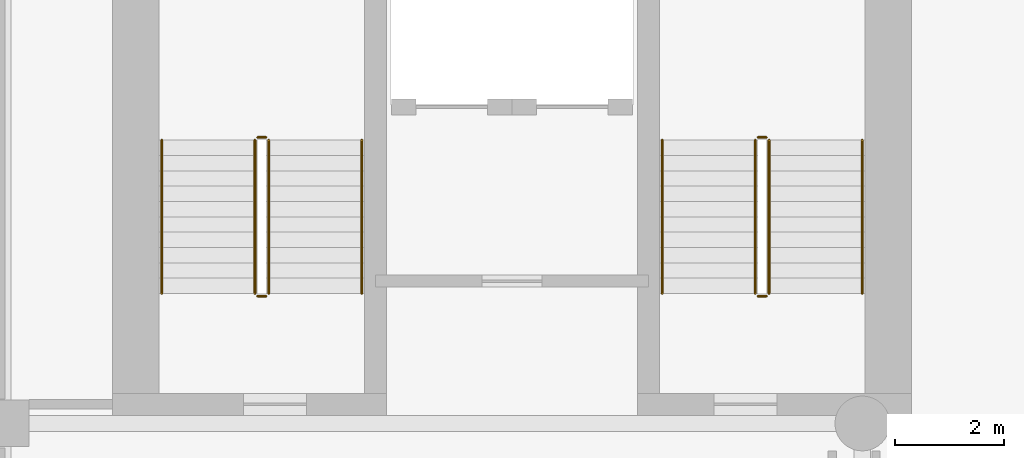
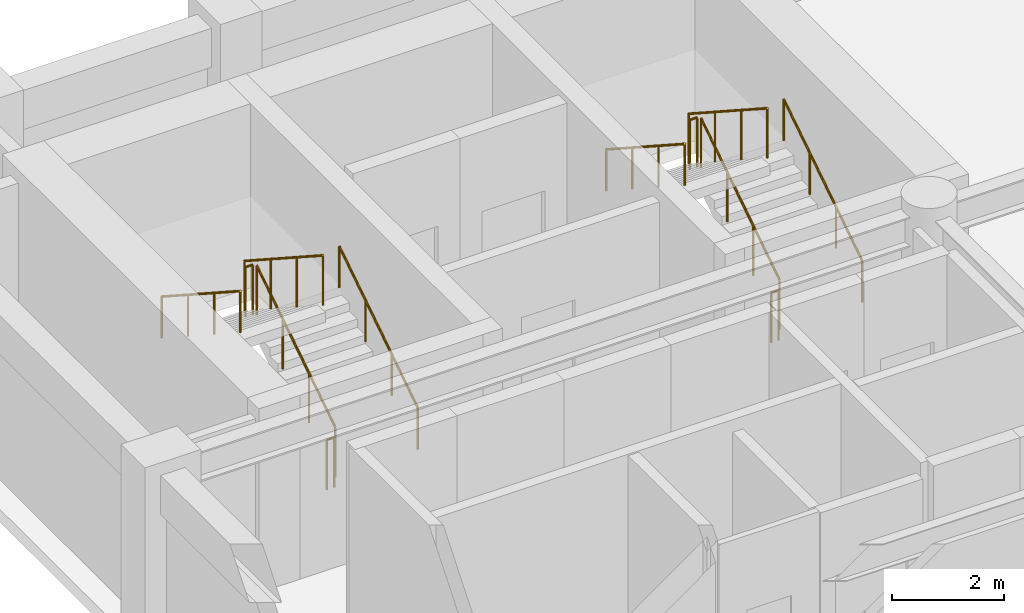
# One storey, part 7 of 8: 12 railings.
"""IFC4 building model written with IfcOpenShell, lengths in metres."""

from ifc_helpers import new_model, si_unit, direction, frame, origin, origin_2d, place, context, subcontext, project, spatial, circle, extrude, material, type_object, element, save


model = new_model("IFC4")

# Units and contexts
model_context = context("Model", 3, precision=1e-05, world=origin(), true_north=direction((0.0, 1.0)))
body_context = subcontext(model_context, "Body", "Model", "MODEL_VIEW")
ifc_project = project(units=[si_unit("LENGTHUNIT", "METRE"), si_unit("AREAUNIT", "SQUARE_METRE"), si_unit("VOLUMEUNIT", "CUBIC_METRE"), si_unit("PLANEANGLEUNIT", "RADIAN"), si_unit("MASSUNIT", "GRAM", prefix="KILO")], contexts=[model_context])

# Site, building, storey
site_placement = place(None, origin())
site = spatial("IfcSite", under=ifc_project, at=site_placement, CompositionType="ELEMENT")
building_placement = place(site_placement, origin())
building = spatial("IfcBuilding", under=site, at=building_placement, Name="Sulina Concourse Tower", CompositionType="ELEMENT")
storey_placement = place(building_placement, frame((0.0, 0.0, 148.60009765625)))
storey = spatial("IfcBuildingStorey", under=building, at=storey_placement, Name="L36", CompositionType="ELEMENT", Elevation=148.60009765625)

# Railings
ifc_material_1 = material(Name="Galvanised steel railing", Category="steel")
railing_type_1 = type_object("IfcRailingType", Name="Core Stair Steel Guardrail 1150mm", PredefinedType="GUARDRAIL", material=ifc_material_1)
railing_1_placement = place(storey_placement, frame((5.554931640625, 36.375, 0.181640625)))
element("IfcRailing", 1, at=railing_1_placement, inside=storey, type_object=railing_type_1, Name="L36 ST-1 stair guard 1", PredefinedType="GUARDRAIL", context=body_context, shape_type="SweptSolid", body=[
    extrude(circle(Radius=0.02392578125, at=origin_2d()), frame((0.0, 0.0, 1.076171875), z_axis=(0.0, 0.838672427954, 0.544636170843), x_axis=(-1.0, 0.0, 0.0)), (0.0, 0.0, 1.0), 3.338623046875),
    extrude(circle(Radius=0.02099609375, at=origin_2d()), origin(), (0.0, 0.0, 1.0), 1.052001953125),
    extrude(circle(Radius=0.02099609375, at=origin_2d()), frame((0.0, 0.933349609375, 0.606201171875)), (0.0, 0.0, 1.0), 1.052001953125),
    extrude(circle(Radius=0.02099609375, at=origin_2d()), frame((0.0, 1.86669921875, 1.212158203125)), (0.0, 0.0, 1.0), 1.052001953125),
    extrude(circle(Radius=0.02099609375, at=origin_2d()), frame((0.0, 2.800048828125, 1.818359375)), (0.0, 0.0, 1.0), 1.052001953125),
])
railing_2_placement = place(storey_placement, frame((5.5048828125, 39.22509765625, 2.0)))
element("IfcRailing", 2, at=railing_2_placement, inside=storey, type_object=railing_type_1, Name="L36 ST-1 stair guard 2", PredefinedType="GUARDRAIL", context=body_context, shape_type="SweptSolid", body=[
    extrude(circle(Radius=0.02392578125, at=origin_2d()), frame((0.0, 0.0, 1.076171875), z_axis=(-1.0, 0.0, 0.0), x_axis=(0.0, -1.0, 0.0)), (0.0, 0.0, 1.0), 0.14990234375),
    extrude(circle(Radius=0.02099609375, at=origin_2d()), origin(), (0.0, 0.0, 1.0), 1.052001953125),
    extrude(circle(Radius=0.02099609375, at=origin_2d()), frame((-0.14990234375, 0.0, 0.0)), (0.0, 0.0, 1.0), 1.052001953125),
])
railing_3_placement = place(storey_placement, frame((5.304931640625, 39.175048828125, 2.181640625)))
element("IfcRailing", 3, at=railing_3_placement, inside=storey, type_object=railing_type_1, Name="L36 ST-1 stair guard 3", PredefinedType="GUARDRAIL", context=body_context, shape_type="SweptSolid", body=[
    extrude(circle(Radius=0.02392578125, at=origin_2d()), frame((0.0, 0.0, 1.076171875), z_axis=(0.0, -0.838672427954, 0.544636170843), x_axis=(1.0, 0.0, 0.0)), (0.0, 0.0, 1.0), 3.338623046875),
    extrude(circle(Radius=0.02099609375, at=origin_2d()), origin(), (0.0, 0.0, 1.0), 1.052001953125),
    extrude(circle(Radius=0.02099609375, at=origin_2d()), frame((0.0, -0.933349609375, 0.606201171875)), (0.0, 0.0, 1.0), 1.052001953125),
    extrude(circle(Radius=0.02099609375, at=origin_2d()), frame((0.0, -1.86669921875, 1.212158203125)), (0.0, 0.0, 1.0), 1.052001953125),
    extrude(circle(Radius=0.02099609375, at=origin_2d()), frame((0.0, -2.800048828125, 1.818359375)), (0.0, 0.0, 1.0), 1.052001953125),
])
railing_4_placement = place(storey_placement, frame((5.5048828125, 36.324951171875, 0.0)))
element("IfcRailing", 4, at=railing_4_placement, inside=storey, type_object=railing_type_1, Name="L36 ST-1 stair guard 4", PredefinedType="GUARDRAIL", context=body_context, shape_type="SweptSolid", body=[
    extrude(circle(Radius=0.02392578125, at=origin_2d()), frame((0.0, 0.0, 1.076171875), z_axis=(-1.0, 0.0, 0.0), x_axis=(0.0, -1.0, 0.0)), (0.0, 0.0, 1.0), 0.14990234375),
    extrude(circle(Radius=0.02099609375, at=origin_2d()), origin(), (0.0, 0.0, 1.0), 1.052001953125),
    extrude(circle(Radius=0.02099609375, at=origin_2d()), frame((-0.14990234375, 0.0, 0.0)), (0.0, 0.0, 1.0), 1.052001953125),
])
railing_5_placement = place(storey_placement, frame((14.695068359375, 36.375, 0.181640625)))
element("IfcRailing", 5, at=railing_5_placement, inside=storey, type_object=railing_type_1, Name="L36 ST-2 stair guard 1", PredefinedType="GUARDRAIL", context=body_context, shape_type="SweptSolid", body=[
    extrude(circle(Radius=0.02392578125, at=origin_2d()), frame((0.0, 0.0, 1.076171875), z_axis=(0.0, 0.838672427954, 0.544636170843), x_axis=(-1.0, 0.0, 0.0)), (0.0, 0.0, 1.0), 3.338623046875),
    extrude(circle(Radius=0.02099609375, at=origin_2d()), origin(), (0.0, 0.0, 1.0), 1.052001953125),
    extrude(circle(Radius=0.02099609375, at=origin_2d()), frame((0.0, 0.933349609375, 0.606201171875)), (0.0, 0.0, 1.0), 1.052001953125),
    extrude(circle(Radius=0.02099609375, at=origin_2d()), frame((0.0, 1.86669921875, 1.212158203125)), (0.0, 0.0, 1.0), 1.052001953125),
    extrude(circle(Radius=0.02099609375, at=origin_2d()), frame((0.0, 2.800048828125, 1.818359375)), (0.0, 0.0, 1.0), 1.052001953125),
])
railing_6_placement = place(storey_placement, frame((14.64501953125, 39.22509765625, 2.0)))
element("IfcRailing", 6, at=railing_6_placement, inside=storey, type_object=railing_type_1, Name="L36 ST-2 stair guard 2", PredefinedType="GUARDRAIL", context=body_context, shape_type="SweptSolid", body=[
    extrude(circle(Radius=0.02392578125, at=origin_2d()), frame((0.0, 0.0, 1.076171875), z_axis=(-1.0, 0.0, 0.0), x_axis=(0.0, -1.0, 0.0)), (0.0, 0.0, 1.0), 0.14990234375),
    extrude(circle(Radius=0.02099609375, at=origin_2d()), origin(), (0.0, 0.0, 1.0), 1.052001953125),
    extrude(circle(Radius=0.02099609375, at=origin_2d()), frame((-0.14990234375, 0.0, 0.0)), (0.0, 0.0, 1.0), 1.052001953125),
])
railing_7_placement = place(storey_placement, frame((14.445068359375, 39.175048828125, 2.181640625)))
element("IfcRailing", 7, at=railing_7_placement, inside=storey, type_object=railing_type_1, Name="L36 ST-2 stair guard 3", PredefinedType="GUARDRAIL", context=body_context, shape_type="SweptSolid", body=[
    extrude(circle(Radius=0.02392578125, at=origin_2d()), frame((0.0, 0.0, 1.076171875), z_axis=(0.0, -0.838672427954, 0.544636170843), x_axis=(1.0, 0.0, 0.0)), (0.0, 0.0, 1.0), 3.338623046875),
    extrude(circle(Radius=0.02099609375, at=origin_2d()), origin(), (0.0, 0.0, 1.0), 1.052001953125),
    extrude(circle(Radius=0.02099609375, at=origin_2d()), frame((0.0, -0.933349609375, 0.606201171875)), (0.0, 0.0, 1.0), 1.052001953125),
    extrude(circle(Radius=0.02099609375, at=origin_2d()), frame((0.0, -1.86669921875, 1.212158203125)), (0.0, 0.0, 1.0), 1.052001953125),
    extrude(circle(Radius=0.02099609375, at=origin_2d()), frame((0.0, -2.800048828125, 1.818359375)), (0.0, 0.0, 1.0), 1.052001953125),
])
railing_8_placement = place(storey_placement, frame((14.64501953125, 36.324951171875, 0.0)))
element("IfcRailing", 8, at=railing_8_placement, inside=storey, type_object=railing_type_1, Name="L36 ST-2 stair guard 4", PredefinedType="GUARDRAIL", context=body_context, shape_type="SweptSolid", body=[
    extrude(circle(Radius=0.02392578125, at=origin_2d()), frame((0.0, 0.0, 1.076171875), z_axis=(-1.0, 0.0, 0.0), x_axis=(0.0, -1.0, 0.0)), (0.0, 0.0, 1.0), 0.14990234375),
    extrude(circle(Radius=0.02099609375, at=origin_2d()), origin(), (0.0, 0.0, 1.0), 1.052001953125),
    extrude(circle(Radius=0.02099609375, at=origin_2d()), frame((-0.14990234375, 0.0, 0.0)), (0.0, 0.0, 1.0), 1.052001953125),
])
ifc_material_2 = material(Name="Galvanised steel railing", Category="steel")
railing_type_2 = type_object("IfcRailingType", Name="Stair Wall Steel Handrail 920mm", PredefinedType="HANDRAIL", material=ifc_material_2)
railing_9_placement = place(storey_placement, frame((7.2548828125, 36.375, 0.181640625)))
element("IfcRailing", 9, at=railing_9_placement, inside=storey, type_object=railing_type_2, Name="L36 ST-1 stair handrail 1", PredefinedType="HANDRAIL", context=body_context, shape_type="SweptSolid", body=[
    extrude(circle(Radius=0.02392578125, at=origin_2d()), frame((0.0, 0.0, 0.89599609375), z_axis=(0.0, 0.838672427954, 0.544636170843), x_axis=(-1.0, 0.0, 0.0)), (0.0, 0.0, 1.0), 3.338623046875),
    extrude(circle(Radius=0.02099609375, at=origin_2d()), origin(), (0.0, 0.0, 1.0), 0.871826171875),
    extrude(circle(Radius=0.02099609375, at=origin_2d()), frame((0.0, 0.933349609375, 0.606201171875)), (0.0, 0.0, 1.0), 0.871826171875),
    extrude(circle(Radius=0.02099609375, at=origin_2d()), frame((0.0, 1.86669921875, 1.212158203125)), (0.0, 0.0, 1.0), 0.871826171875),
    extrude(circle(Radius=0.02099609375, at=origin_2d()), frame((0.0, 2.800048828125, 1.818359375)), (0.0, 0.0, 1.0), 0.871826171875),
])
railing_10_placement = place(storey_placement, frame((3.60498046875, 39.175048828125, 2.181640625)))
element("IfcRailing", 10, at=railing_10_placement, inside=storey, type_object=railing_type_2, Name="L36 ST-1 stair handrail 2", PredefinedType="HANDRAIL", context=body_context, shape_type="SweptSolid", body=[
    extrude(circle(Radius=0.02392578125, at=origin_2d()), frame((0.0, 0.0, 0.89599609375), z_axis=(0.0, -0.838672427954, 0.544636170843), x_axis=(1.0, 0.0, 0.0)), (0.0, 0.0, 1.0), 3.338623046875),
    extrude(circle(Radius=0.02099609375, at=origin_2d()), origin(), (0.0, 0.0, 1.0), 0.871826171875),
    extrude(circle(Radius=0.02099609375, at=origin_2d()), frame((0.0, -0.933349609375, 0.606201171875)), (0.0, 0.0, 1.0), 0.871826171875),
    extrude(circle(Radius=0.02099609375, at=origin_2d()), frame((0.0, -1.86669921875, 1.212158203125)), (0.0, 0.0, 1.0), 0.871826171875),
    extrude(circle(Radius=0.02099609375, at=origin_2d()), frame((0.0, -2.800048828125, 1.818359375)), (0.0, 0.0, 1.0), 0.871826171875),
])
railing_11_placement = place(storey_placement, frame((16.39501953125, 36.375, 0.181640625)))
element("IfcRailing", 11, at=railing_11_placement, inside=storey, type_object=railing_type_2, Name="L36 ST-2 stair handrail 1", PredefinedType="HANDRAIL", context=body_context, shape_type="SweptSolid", body=[
    extrude(circle(Radius=0.02392578125, at=origin_2d()), frame((0.0, 0.0, 0.89599609375), z_axis=(0.0, 0.838672427954, 0.544636170843), x_axis=(-1.0, 0.0, 0.0)), (0.0, 0.0, 1.0), 3.338623046875),
    extrude(circle(Radius=0.02099609375, at=origin_2d()), origin(), (0.0, 0.0, 1.0), 0.871826171875),
    extrude(circle(Radius=0.02099609375, at=origin_2d()), frame((0.0, 0.933349609375, 0.606201171875)), (0.0, 0.0, 1.0), 0.871826171875),
    extrude(circle(Radius=0.02099609375, at=origin_2d()), frame((0.0, 1.86669921875, 1.212158203125)), (0.0, 0.0, 1.0), 0.871826171875),
    extrude(circle(Radius=0.02099609375, at=origin_2d()), frame((0.0, 2.800048828125, 1.818359375)), (0.0, 0.0, 1.0), 0.871826171875),
])
railing_12_placement = place(storey_placement, frame((12.7451171875, 39.175048828125, 2.181640625)))
element("IfcRailing", 12, at=railing_12_placement, inside=storey, type_object=railing_type_2, Name="L36 ST-2 stair handrail 2", PredefinedType="HANDRAIL", context=body_context, shape_type="SweptSolid", body=[
    extrude(circle(Radius=0.02392578125, at=origin_2d()), frame((0.0, 0.0, 0.89599609375), z_axis=(0.0, -0.838672427954, 0.544636170843), x_axis=(1.0, 0.0, 0.0)), (0.0, 0.0, 1.0), 3.338623046875),
    extrude(circle(Radius=0.02099609375, at=origin_2d()), origin(), (0.0, 0.0, 1.0), 0.871826171875),
    extrude(circle(Radius=0.02099609375, at=origin_2d()), frame((0.0, -0.933349609375, 0.606201171875)), (0.0, 0.0, 1.0), 0.871826171875),
    extrude(circle(Radius=0.02099609375, at=origin_2d()), frame((0.0, -1.86669921875, 1.212158203125)), (0.0, 0.0, 1.0), 0.871826171875),
    extrude(circle(Radius=0.02099609375, at=origin_2d()), frame((0.0, -2.800048828125, 1.818359375)), (0.0, 0.0, 1.0), 0.871826171875),
])

save(model, "model.ifc")
